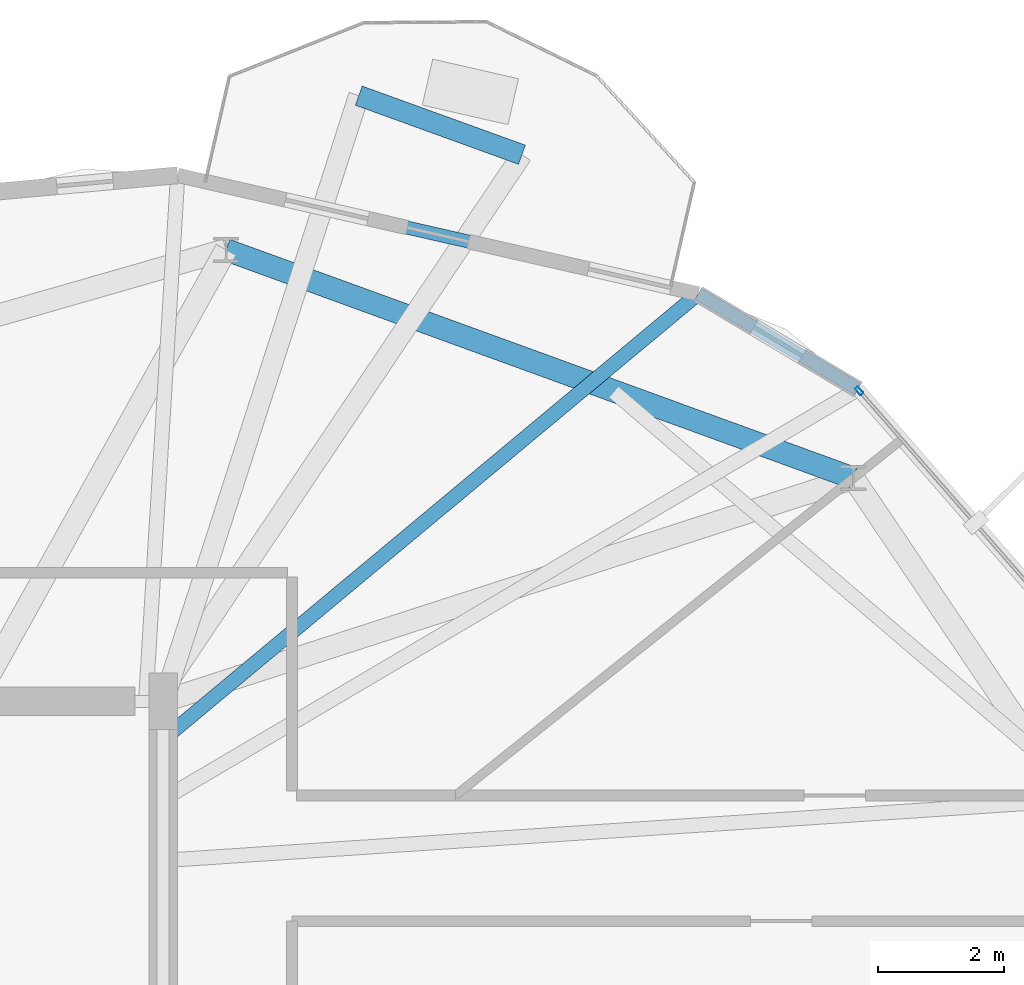
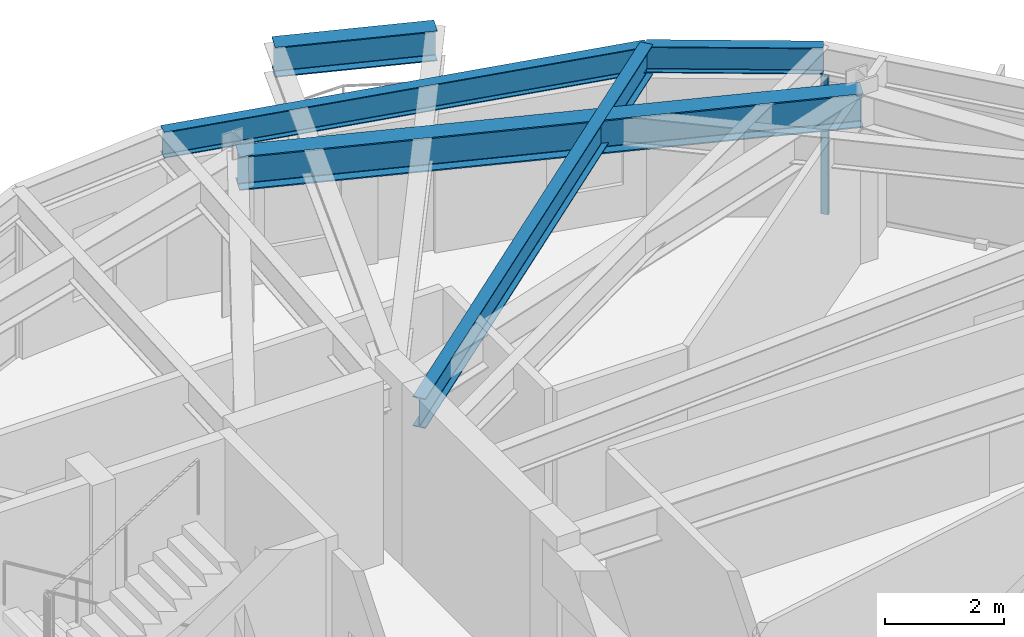
# One storey, part 16 of 23: 5 beams, 1 member, 1 element without a shape of its own.
"""IFC4 building model written with IfcOpenShell, lengths in metres."""

from ifc_helpers import new_model, si_unit, direction, frame, origin, origin_2d, place, context, subcontext, project, spatial, hollow_rectangle, i_section, extrude, material, layer, layer_set, material_profile, profile_set, type_object, element, aggregate, save


model = new_model("IFC4")

# Units and contexts
model_context = context("Model", 3, precision=1e-05, world=origin(), true_north=direction((0.0, 1.0)))
body_context = subcontext(model_context, "Body", "Model", "MODEL_VIEW")
ifc_project = project(units=[si_unit("LENGTHUNIT", "METRE"), si_unit("AREAUNIT", "SQUARE_METRE"), si_unit("VOLUMEUNIT", "CUBIC_METRE"), si_unit("PLANEANGLEUNIT", "RADIAN"), si_unit("MASSUNIT", "GRAM", prefix="KILO")], contexts=[model_context])

# Site, building, storey
site_placement = place(None, origin())
site = spatial("IfcSite", under=ifc_project, at=site_placement, CompositionType="ELEMENT")
building_placement = place(site_placement, origin())
building = spatial("IfcBuilding", under=site, at=building_placement, Name="Soratama Intermodal Tower", CompositionType="ELEMENT")
storey_placement = place(building_placement, frame((0.0, 0.0, 250.0)))
storey = spatial("IfcBuildingStorey", under=building, at=storey_placement, Name="L63", CompositionType="ELEMENT", Elevation=250.0)

# Beams
ifc_material_1 = material(Name="Structural steel ASTM A992 Grade 50", Category="steel")
ifc_material_profile_1 = material_profile(ifc_material_1, i_section(OverallWidth=0.324951171875, OverallDepth=0.615966796875, WebThickness=0.013916015625, FlangeThickness=0.021484375, FilletRadius=0.013916015625, at=origin_2d()), Name="W24X117")
ifc_profile_set_1 = profile_set([ifc_material_profile_1], Name="Structural steel ASTM A992 Grade 50")
beam_type_1 = type_object("IfcBeamType", Name="BM-CANT-W24X117", PredefinedType="BEAM", material=ifc_profile_set_1)
beam_1_placement = place(storey_placement, frame((50.31201171875, 43.7041015625, 3.14208984375), z_axis=(-0.940231221255, 0.340536709587, 0.0), x_axis=(-0.340536709587, -0.940231221255, 0.0)))
element("IfcBeam", 1, at=beam_1_placement, inside=storey, type_object=beam_type_1, Name="BM-L63-CBHDR-1", PredefinedType="BEAM", context=body_context, shape_type="SweptSolid", body=[
    extrude(i_section(OverallWidth=0.324951171875, OverallDepth=0.615966796875, WebThickness=0.013916015625, FlangeThickness=0.021484375, FilletRadius=0.013916015625, at=origin_2d()), origin(), (0.0, 0.0, 1.0), 2.762939453125),
])
ifc_material_2 = material(Name="Structural steel ASTM A992 Grade 50", Category="steel")
ifc_material_profile_2 = material_profile(ifc_material_2, i_section(OverallWidth=0.35498046875, OverallDepth=0.695068359375, WebThickness=0.015380859375, FlangeThickness=0.02490234375, FilletRadius=0.01611328125, at=origin_2d()), Name="W27X146")
ifc_profile_set_2 = profile_set([ifc_material_profile_2], Name="Structural steel ASTM A992 Grade 50")
beam_type_2 = type_object("IfcBeamType", Name="BM-RING-W27X146", PredefinedType="BEAM", material=ifc_profile_set_2)
beam_2_placement = place(storey_placement, frame((55.589111328125, 38.553955078125, 3.1025390625), z_axis=(-0.939684073866, 0.342043624883, 0.0), x_axis=(-0.342043624883, -0.939684073866, 0.0)))
element("IfcBeam", 2, at=beam_2_placement, inside=storey, type_object=beam_type_2, Name="BM-L63-RING-02", PredefinedType="BEAM", context=body_context, shape_type="SweptSolid", body=[
    extrude(i_section(OverallWidth=0.35498046875, OverallDepth=0.695068359375, WebThickness=0.015380859375, FlangeThickness=0.02490234375, FilletRadius=0.01611328125, at=origin_2d()), origin(), (0.0, 0.0, 1.0), 10.630126953125),
])
ifc_material_3 = material(Name="Structural steel ASTM A992 Grade 50", Category="steel")
ifc_material_profile_3 = material_profile(ifc_material_3, i_section(OverallWidth=0.2099609375, OverallDepth=0.537109375, WebThickness=0.010986328125, FlangeThickness=0.017333984375, FilletRadius=0.012939453125, at=origin_2d()), Name="W21X68")
ifc_profile_set_3 = profile_set([ifc_material_profile_3], Name="Structural steel ASTM A992 Grade 50")
beam_type_3 = type_object("IfcBeamType", Name="BM-SPN-W21X68", PredefinedType="SPANDREL", material=ifc_profile_set_3)
beam_3_placement = place(storey_placement, frame((53.116943359375, 41.488037109375, 3.181396484375), z_axis=(-0.97499185871, 0.222240580115, 0.0), x_axis=(-0.222240580115, -0.97499185871, 0.0)))
element("IfcBeam", 3, at=beam_3_placement, inside=storey, type_object=beam_type_3, Name="BS-L63-F01", PredefinedType="SPANDREL", context=body_context, shape_type="SweptSolid", body=[
    extrude(i_section(OverallWidth=0.2099609375, OverallDepth=0.537109375, WebThickness=0.010986328125, FlangeThickness=0.017333984375, FilletRadius=0.012939453125, at=origin_2d()), origin(), (0.0, 0.0, 1.0), 8.49951171875),
])
beam_4_placement = place(storey_placement, frame((55.6640625, 39.968017578125, 3.181396484375), z_axis=(-0.858717841131, 0.512448699212, 0.0), x_axis=(-0.512448699212, -0.858717841131, 0.0)))
element("IfcBeam", 4, at=beam_4_placement, inside=storey, type_object=beam_type_3, Name="BS-L63-CRN10", PredefinedType="SPANDREL", context=body_context, shape_type="SweptSolid", body=[
    extrude(i_section(OverallWidth=0.2099609375, OverallDepth=0.537109375, WebThickness=0.010986328125, FlangeThickness=0.017333984375, FilletRadius=0.012939453125, at=origin_2d()), origin(), (0.0, 0.0, 1.0), 2.96630859375),
])
ifc_material_4 = material(Name="Structural steel ASTM A992 Grade 50", Category="steel")
ifc_material_profile_4 = material_profile(ifc_material_4, i_section(OverallWidth=0.22900390625, OverallDepth=0.612060546875, WebThickness=0.011962890625, FlangeThickness=0.01953125, FilletRadius=0.012939453125, at=origin_2d()), Name="W24X84")
ifc_profile_set_4 = profile_set([ifc_material_profile_4], Name="Structural steel ASTM A992 Grade 50")
beam_type_4 = type_object("IfcBeamType", Name="BM-TIE-W24X84", PredefinedType="BEAM", material=ifc_profile_set_4)
beam_5_placement = place(storey_placement, frame((44.631103515625, 34.419921875, 3.14404296875), z_axis=(0.768373465729, 0.640001732157, 0.0), x_axis=(-0.640001732157, 0.768373465729, 0.0)))
element("IfcBeam", 5, at=beam_5_placement, inside=storey, type_object=beam_type_4, Name="BM-L63-TIE0-01", PredefinedType="BEAM", context=body_context, shape_type="SweptSolid", body=[
    extrude(i_section(OverallWidth=0.22900390625, OverallDepth=0.612060546875, WebThickness=0.011962890625, FlangeThickness=0.01953125, FilletRadius=0.012939453125, at=origin_2d()), origin(), (0.0, 0.0, 1.0), 11.0439453125),
])

# Curtain wall, member
ifc_material_5 = material(Name="Double-glazed aluminium curtain wall", Category="aluminium")
ifc_layer = layer(ifc_material_5, 0.159912109375)
ifc_layer_set = layer_set([ifc_layer], Name="Double-glazed aluminium curtain wall")
curtain_wall_type = type_object("IfcCurtainWallType", Name="CW-SYS-5", PredefinedType="NOTDEFINED", material=ifc_layer_set)
curtain_wall_placement = place(storey_placement, origin())
curtain_wall = element("IfcCurtainWall", 6, at=curtain_wall_placement, inside=storey, type_object=curtain_wall_type, Name="L63 Faceted Curtain Wall F10", PredefinedType="NOTDEFINED")
ifc_material_6 = material(Name="Anodised aluminium AA 6063-T6", Category="aluminium")
ifc_material_profile_5 = material_profile(ifc_material_6, hollow_rectangle(XDim=0.06494140625, YDim=0.139892578125, WallThickness=0.0048828125, InnerFilletRadius=0.0048828125, OuterFilletRadius=0.010009765625, at=origin_2d()), Name="CWM140X65X5")
ifc_profile_set_5 = profile_set([ifc_material_profile_5], Name="Anodised aluminium AA 6063-T6")
member_type = type_object("IfcMemberType", Name="MT-CWM-5", PredefinedType="MULLION", material=ifc_profile_set_5)
member_placement = place(storey_placement, frame((55.683837890625, 39.94482421875, 0.0), z_axis=(0.0, 0.0, 1.0), x_axis=(-0.752879070103, -0.658158875805, 0.0)))
member = element("IfcMember", 7, at=member_placement, type_object=member_type, Name="CW-5 mullion 2", PredefinedType="MULLION", context=body_context, shape_type="SweptSolid", body=[
    extrude(hollow_rectangle(XDim=0.06494140625, YDim=0.139892578125, WallThickness=0.0048828125, InnerFilletRadius=0.0048828125, OuterFilletRadius=0.010009765625, at=origin_2d()), origin(), (0.0, 0.0, 1.0), 2.8291015625),
])
aggregate(curtain_wall, [member])

save(model, "model.ifc")
